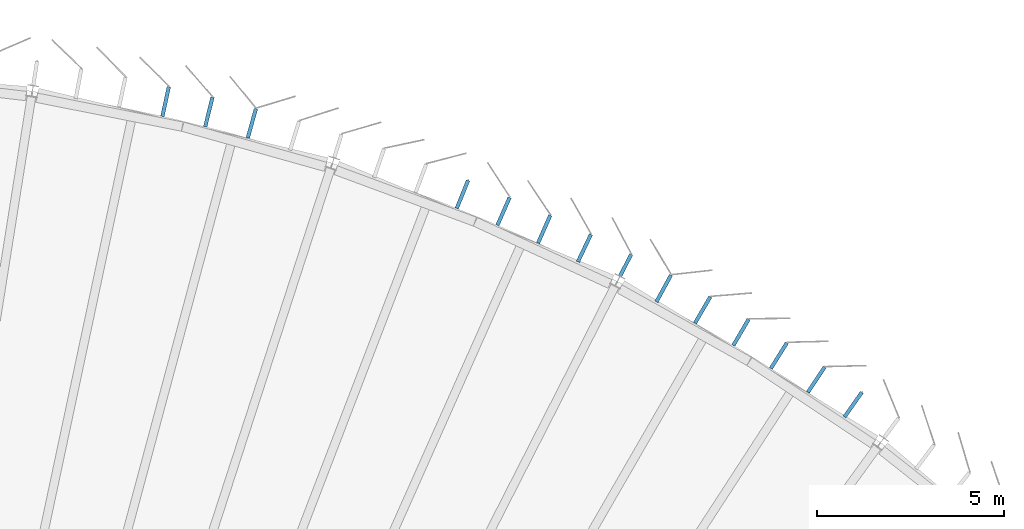
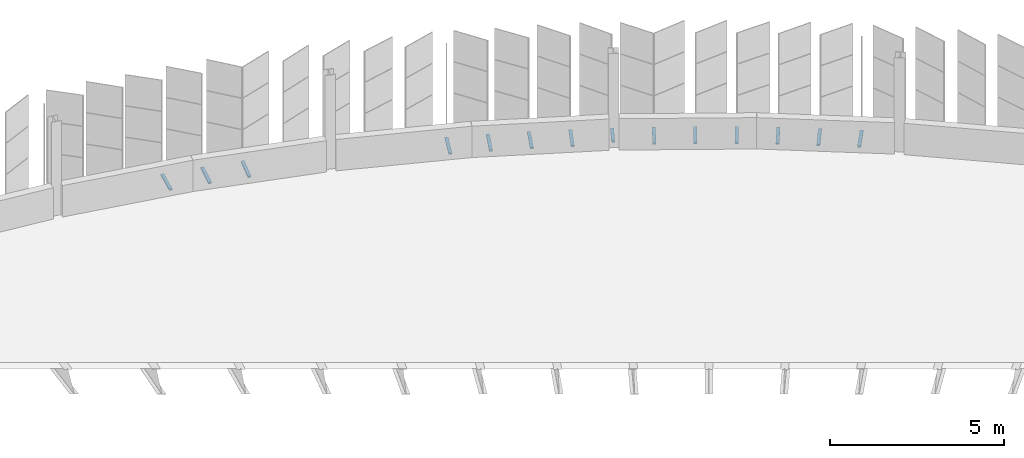
# One storey, part 179 of 199: 14 discrete accessories.
"""IFC4 building model written with IfcOpenShell, lengths in metres."""

from ifc_helpers import new_model, si_unit, direction, frame, origin, origin_2d, place, context, subcontext, project, spatial, rectangle, extrude, material, type_object, element, save


model = new_model("IFC4")

# Units and contexts
model_context = context("Model", 3, precision=1e-05, world=origin(), true_north=direction((0.0, 1.0)))
body_context = subcontext(model_context, "Body", "Model", "MODEL_VIEW")
ifc_project = project(units=[si_unit("LENGTHUNIT", "METRE"), si_unit("AREAUNIT", "SQUARE_METRE"), si_unit("VOLUMEUNIT", "CUBIC_METRE"), si_unit("PLANEANGLEUNIT", "RADIAN"), si_unit("MASSUNIT", "GRAM", prefix="KILO")], contexts=[model_context])

# Site, building, storey
site_placement = place(None, origin())
site = spatial("IfcSite", under=ifc_project, at=site_placement, CompositionType="ELEMENT")
building_placement = place(site_placement, origin())
building = spatial("IfcBuilding", under=site, at=building_placement, Name="Parallax Yard Mobility Hub", CompositionType="ELEMENT")
storey_placement = place(building_placement, frame((0.0, 0.0, 9.89990234375)))
storey = spatial("IfcBuildingStorey", under=building, at=storey_placement, Name="L03", CompositionType="ELEMENT", Elevation=9.89990234375)

# Discrete accessories
ifc_material = material(Name="Steel ASTM A36, hot-dip galvanised", Category="steel")
discrete_accessory_type = type_object("IfcDiscreteAccessoryType", Name="Hinge bracket plate 100x50", PredefinedType="BRACKET", material=ifc_material)
for number, where, z_axis, x_axis, name in (
    (1, (202.62646484375, 133.4833984375, -0.02490234375), (0.0, 0.0, 1.0), (0.576172721078, 0.817327960788, 0.0), "Hinge bracket plate bay 47.2 level L03"),
    (2, (201.6416015625, 134.1474609375, -0.02490234375), (0.0, 0.0, 1.0), (0.552599020627, 0.833447252321, 0.0), "Hinge bracket plate bay 47.3 level L03"),
    (3, (200.643310546875, 134.790771484375, -0.02490234375), (0.0, 0.0, 1.0), (0.528573165953, 0.848887747723, 0.0), "Hinge bracket plate bay 47.4 level L03"),
    (4, (199.631591796875, 135.413330078125, -0.02490234375), (0.0, 0.0, 1.0), (0.504116180263, 0.863635847332, 0.0), "Hinge bracket plate bay 47.5 level L03"),
    (5, (198.6083984375, 136.0107421875, -0.02490234375), (0.0, 0.0, 1.0), (0.504116180263, 0.863635847332, 0.0), "Hinge bracket plate bay 47.6 level L03"),
    (6, (197.5673828125, 136.58251953125, -0.02490234375), (0.0, 0.0, 1.0), (0.479249543752, 0.877678685404, 0.0), "Hinge bracket plate bay 47.7 level L03"),
):
    element("IfcDiscreteAccessory", number, at=place(storey_placement, frame(where, z_axis=z_axis, x_axis=x_axis)), inside=storey, type_object=discrete_accessory_type, Name=name, PredefinedType="BRACKET", context=body_context, shape_type="SweptSolid", body=[
        extrude(rectangle(XDim=0.80810546875, YDim=0.10009765625, at=origin_2d()), origin(), (0.0, 0.0, 1.0), 0.050048828125),
    ])
discrete_accessory_placement = place(storey_placement, frame((196.5498046875, 137.201171875, -0.02490234375), z_axis=(0.0, 0.0, 1.0), x_axis=(0.45399049974, 0.891006524188, 0.0)))
element("IfcDiscreteAccessory", 7, at=discrete_accessory_placement, inside=storey, type_object=discrete_accessory_type, Name="Hinge bracket plate bay 48.1 level L03", PredefinedType="BRACKET", context=body_context, shape_type="SweptSolid", body=[
    extrude(rectangle(XDim=0.654541015625, YDim=0.10009765625, at=origin_2d()), origin(), (0.0, 0.0, 1.0), 0.050048828125),
])
for number, where, z_axis, x_axis, name in (
    (8, (195.451171875, 137.660888671875, -0.02490234375), (0.0, 0.0, 1.0), (0.428361158107, 0.903607612974, 0.0), "Hinge bracket plate bay 48.2 level L03"),
    (9, (194.376708984375, 138.166748046875, -0.02490234375), (0.0, 0.0, 1.0), (0.402384021242, 0.915470971385, 0.0), "Hinge bracket plate bay 48.3 level L03"),
    (10, (193.2919921875, 138.6435546875, -0.02490234375), (0.0, 0.0, 1.0), (0.402384021242, 0.915470971385, 0.0), "Hinge bracket plate bay 48.4 level L03"),
    (11, (192.194091796875, 139.095947265625, -0.02490234375), (0.0, 0.0, 1.0), (0.37607710252, 0.92658837299, 0.0), "Hinge bracket plate bay 48.5 level L03"),
    (12, (186.572998046875, 140.991943359375, -0.02490234375), (0.0, 0.0, 1.0), (0.268003534583, 0.963417928757, 0.0), "Hinge bracket plate bay 49.3 level L03"),
    (13, (185.425048828125, 141.29541015625, -0.02490234375), (0.0, 0.0, 1.0), (0.240382213455, 0.970678315125, 0.0), "Hinge bracket plate bay 49.4 level L03"),
    (14, (184.270751953125, 141.57470703125, -0.02490234375), (0.0, 0.0, 1.0), (0.212564824432, 0.977146967152, 0.0), "Hinge bracket plate bay 49.5 level L03"),
):
    element("IfcDiscreteAccessory", number, at=place(storey_placement, frame(where, z_axis=z_axis, x_axis=x_axis)), inside=storey, type_object=discrete_accessory_type, Name=name, PredefinedType="BRACKET", context=body_context, shape_type="SweptSolid", body=[
        extrude(rectangle(XDim=0.80810546875, YDim=0.10009765625, at=origin_2d()), origin(), (0.0, 0.0, 1.0), 0.050048828125),
    ])

save(model, "model.ifc")
